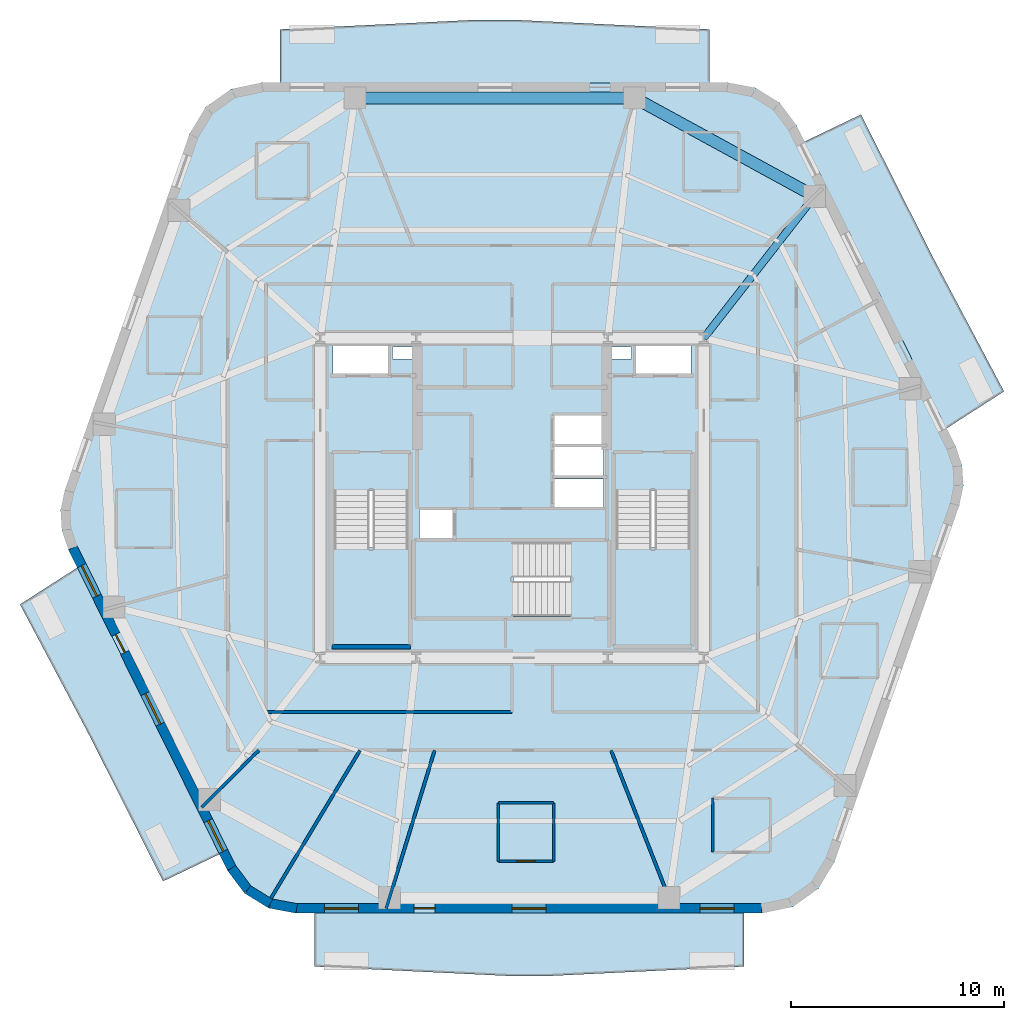
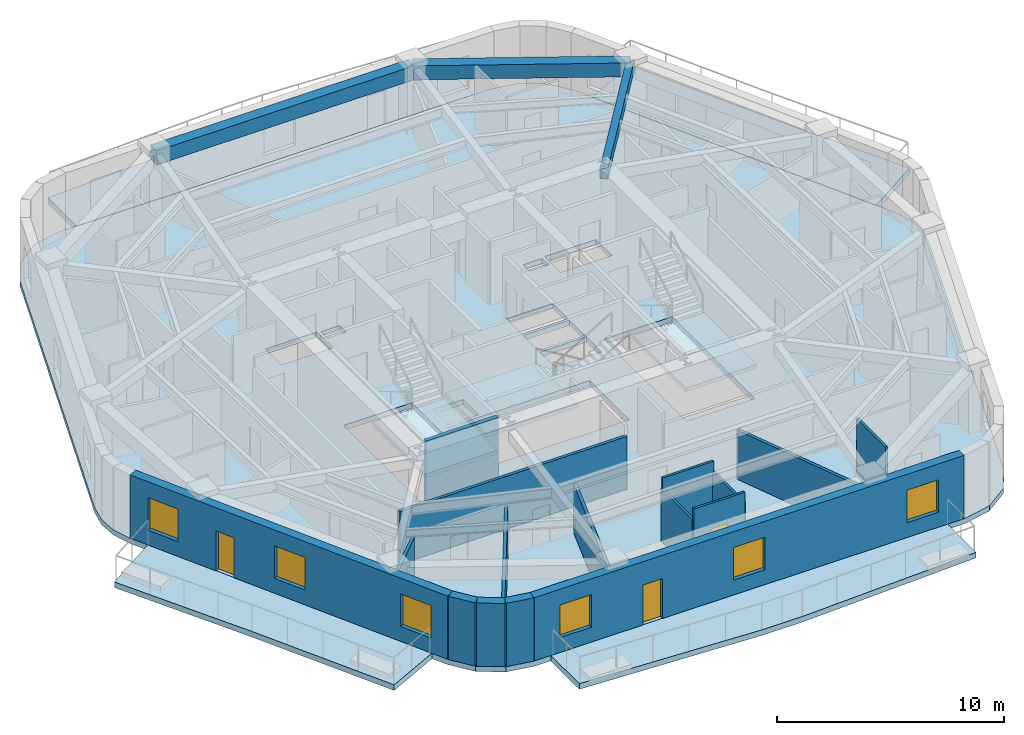
# One storey, part 2 of 10: 16 walls, 8 slabs, 6 windows, 3 beams, 3 doors, 9 openings, 3 elements without a shape of their own.
"""IFC4 building model written with IfcOpenShell, lengths in metres."""

from ifc_helpers import new_model, si_unit, direction, frame, frame_2d, origin, origin_2d, place, context, subcontext, project, spatial, polyline, rectangle, outline, extrude, material, layer, layer_set, material_profile, profile_set, type_object, element, fill, aggregate, save


model = new_model("IFC4")

# Units and contexts
model_context = context("Model", 3, precision=1e-05, world=origin(), true_north=direction((0.0, 1.0)))
body_context = subcontext(model_context, "Body", "Model", "MODEL_VIEW")
ifc_project = project(units=[si_unit("LENGTHUNIT", "METRE"), si_unit("AREAUNIT", "SQUARE_METRE"), si_unit("VOLUMEUNIT", "CUBIC_METRE"), si_unit("PLANEANGLEUNIT", "RADIAN"), si_unit("MASSUNIT", "GRAM", prefix="KILO")], contexts=[model_context])

# Site, building, storey
site_placement = place(None, origin())
site = spatial("IfcSite", under=ifc_project, at=site_placement, CompositionType="ELEMENT")
building_placement = place(site_placement, origin())
building = spatial("IfcBuilding", under=site, at=building_placement, Name="Kilnhurst Terrace Hotel", CompositionType="ELEMENT")
storey_placement = place(building_placement, frame((0.0, 0.0, 190.39990234375)))
storey = spatial("IfcBuildingStorey", under=building, at=storey_placement, Name="L47", CompositionType="ELEMENT", Elevation=190.39990234375)

# Beams
ifc_material_1 = material(Name="Concrete C50/60", Category="concrete")
ifc_material_profile_1 = material_profile(ifc_material_1, rectangle(XDim=0.35009765625, YDim=0.550048828125, at=origin_2d()), Name="RC350X550")
ifc_profile_set_1 = profile_set([ifc_material_profile_1], Name="Concrete C50/60")
beam_type_1 = type_object("IfcBeamType", Name="BM-RAD-350X550", PredefinedType="BEAM", material=ifc_profile_set_1)
beam_1_placement = place(storey_placement, frame((9.0, 7.5, 3.125), z_axis=(0.615370616457, 0.78823791104, 0.0), x_axis=(-0.78823791104, 0.615370616457, 0.0)))
element("IfcBeam", 1, at=beam_1_placement, inside=storey, type_object=beam_type_1, Name="L47 Radial Floor Beam 6", PredefinedType="BEAM", context=body_context, shape_type="SweptSolid", body=[
    extrude(rectangle(XDim=0.35009765625, YDim=0.550048828125, at=origin_2d()), origin(), (0.0, 0.0, 1.0), 8.456787109375),
])
ifc_material_profile_2 = material_profile(ifc_material_1, rectangle(XDim=0.550048828125, YDim=0.75, at=origin_2d()), Name="RC550X750")
ifc_profile_set_2 = profile_set([ifc_material_profile_2], Name="Concrete C50/60")
beam_type_2 = type_object("IfcBeamType", Name="BM-SPN-550X750", PredefinedType="SPANDREL", material=ifc_profile_set_2)
beam_2_placement = place(storey_placement, frame((14.2041015625, 14.166015625, 3.025146484375), z_axis=(-0.87766189723, 0.479280287672, 0.0), x_axis=(-0.479280287672, -0.87766189723, 0.0)))
element("IfcBeam", 2, at=beam_2_placement, inside=storey, type_object=beam_type_2, Name="L47 Perimeter Spandrel Beam 6", PredefinedType="SPANDREL", context=body_context, shape_type="SweptSolid", body=[
    extrude(rectangle(XDim=0.550048828125, YDim=0.75, at=origin_2d()), origin(), (0.0, 0.0, 1.0), 9.626953125),
])
beam_3_placement = place(storey_placement, frame((5.7548828125, 18.780029296875, 3.025146484375), z_axis=(-1.0, 0.0, 0.0), x_axis=(0.0, -1.0, 0.0)))
element("IfcBeam", 3, at=beam_3_placement, inside=storey, type_object=beam_type_2, Name="L47 Perimeter Spandrel Beam 7", PredefinedType="SPANDREL", context=body_context, shape_type="SweptSolid", body=[
    extrude(rectangle(XDim=0.550048828125, YDim=0.75, at=origin_2d()), origin(), (0.0, 0.0, 1.0), 13.123779296875),
])

# Slabs
ifc_layer_1 = layer(ifc_material_1, 0.300048828125, Name="Concrete C50/60")
ifc_layer_set_1 = layer_set([ifc_layer_1], Name="Concrete C50/60")
slab_type_1 = type_object("IfcSlabType", Name="SLB-BAL-300", PredefinedType="FLOOR", material=ifc_layer_set_1)
slab_1_placement = place(storey_placement, frame((0.0, 0.0, -0.2998046875)))
element("IfcSlab", 4, at=slab_1_placement, inside=storey, type_object=slab_type_1, Name="L47 Cantilevered Planted Terrace Slab BAL-L1A", PredefinedType="FLOOR", context=body_context, shape_type="SweptSolid", body=[
    extrude(outline(polyline([(19.769287109375, 11.293212890625), (23.100830078125, 5.0), (20.393310546875, 3.25927734375), (13.718505859375, 16.72021484375), (16.384033203125, 18.0), (19.769287109375, 11.293212890625)])), origin(), (0.0, 0.0, 1.0), 0.2998046875),
])
slab_2_placement = place(storey_placement, frame((0.0, 0.0, -0.2998046875)))
element("IfcSlab", 5, at=slab_2_placement, inside=storey, type_object=slab_type_1, Name="L47 Cantilevered Planted Terrace Slab BAL-L1B", PredefinedType="FLOOR", context=body_context, shape_type="SweptSolid", body=[
    extrude(outline(polyline([(0.221923828125, 22.43994140625), (9.279296875, 22.0), (9.279296875, 19.47998046875), (-10.8935546875, 19.47998046875), (-10.8935546875, 22.0), (-1.83642578125, 22.43994140625), (0.221923828125, 22.43994140625)])), origin(), (0.0, 0.0, 1.0), 0.2998046875),
])
slab_3_placement = place(storey_placement, frame((0.0, 0.0, -0.2998046875)))
element("IfcSlab", 6, at=slab_3_placement, inside=storey, type_object=slab_type_1, Name="L47 Cantilevered Planted Terrace Slab BAL-L2A", PredefinedType="FLOOR", context=body_context, shape_type="SweptSolid", body=[
    extrude(outline(polyline([(-23.100830078125, -5.0), (-20.393310546875, -3.25927734375), (-13.718505859375, -16.72021484375), (-16.384033203125, -18.0), (-19.769287109375, -11.293212890625), (-23.100830078125, -5.0)])), origin(), (0.0, 0.0, 1.0), 0.2998046875),
])
slab_4_placement = place(storey_placement, frame((0.0, 0.0, -0.2998046875)))
element("IfcSlab", 7, at=slab_4_placement, inside=storey, type_object=slab_type_1, Name="L47 Cantilevered Planted Terrace Slab BAL-L2B", PredefinedType="FLOOR", context=body_context, shape_type="SweptSolid", body=[
    extrude(outline(polyline([(-0.221923828125, -22.43994140625), (-9.279296875, -22.0), (-9.279296875, -19.47998046875), (10.8935546875, -19.47998046875), (10.8935546875, -22.0), (1.83642578125, -22.43994140625), (-0.221923828125, -22.43994140625)])), origin(), (0.0, 0.0, 1.0), 0.2998046875),
])
ifc_layer_2 = layer(ifc_material_1, 0.280029296875, Name="Concrete C50/60")
ifc_layer_set_2 = layer_set([ifc_layer_2], Name="Concrete C50/60")
slab_type_2 = type_object("IfcSlabType", Name="SLB-FLR-280", PredefinedType="FLOOR", material=ifc_layer_set_2)
slab_5_placement = place(storey_placement, frame((0.0, 0.0, -0.27978515625)))
element("IfcSlab", 8, at=slab_5_placement, inside=storey, type_object=slab_type_2, Name="L47 Structural Floor Slab", PredefinedType="FLOOR", context=body_context, shape_type="SweptSolid", body=[
    extrude(outline(polyline([(-13.3544921875, -17.499267578125), (-12.5576171875, -18.5576171875), (-11.431640625, -19.256103515625), (-10.12939453125, -19.5), (11.74365234375, -19.5), (13.18310546875, -19.19970703125), (14.38232421875, -18.348876953125), (15.141357421875, -17.089599609375), (20.9990234375, -0.3583984375), (21.192138671875, 0.57568359375), (21.13330078125, 1.527587890625), (20.82666015625, 2.4306640625), (13.3544921875, 17.499267578125), (12.5576171875, 18.5576171875), (11.431640625, 19.256103515625), (10.12939453125, 19.5), (-11.74365234375, 19.5), (-13.18310546875, 19.19970703125), (-14.38232421875, 18.348876953125), (-15.141357421875, 17.089599609375), (-20.9990234375, 0.3583984375), (-21.192138671875, -0.57568359375), (-21.13330078125, -1.527587890625), (-20.82666015625, -2.4306640625), (-13.3544921875, -17.499267578125)]), holes=[polyline([(2.7548828125, -2.080078125), (2.7548828125, -5.550048828125), (-4.5, -5.550048828125), (-4.5, -2.080078125), (2.7548828125, -2.080078125)]), polyline([(-8.35009765625, 0.35498046875), (-4.8798828125, 0.35498046875), (-4.8798828125, -6.89990234375), (-8.35009765625, -6.89990234375), (-8.35009765625, 0.35498046875)]), polyline([(-2.800048828125, -1.89990234375), (-4.35009765625, -1.89990234375), (-4.35009765625, -0.550048828125), (-2.800048828125, -0.550048828125), (-2.800048828125, -1.89990234375)]), polyline([(1.949951171875, -0.429931640625), (1.949951171875, 0.89990234375), (4.300048828125, 0.89990234375), (4.300048828125, -0.429931640625), (1.949951171875, -0.429931640625)]), polyline([(-8.39990234375, 5.75), (-8.39990234375, 7.14990234375), (-5.800048828125, 7.14990234375), (-5.800048828125, 5.75), (-8.39990234375, 5.75)]), polyline([(-4.659912109375, 6.52001953125), (-5.6201171875, 6.52001953125), (-5.6201171875, 7.080078125), (-4.659912109375, 7.080078125), (-4.659912109375, 6.52001953125)]), polyline([(8.35009765625, 0.35498046875), (8.35009765625, -6.89990234375), (4.8798828125, -6.89990234375), (4.8798828125, 0.35498046875), (8.35009765625, 0.35498046875)]), polyline([(1.949951171875, 1.050048828125), (1.949951171875, 2.3798828125), (4.300048828125, 2.3798828125), (4.300048828125, 1.050048828125), (1.949951171875, 1.050048828125)]), polyline([(4.300048828125, 2.530029296875), (1.949951171875, 2.530029296875), (1.949951171875, 3.860107421875), (4.300048828125, 3.860107421875), (4.300048828125, 2.530029296875)]), polyline([(5.800048828125, 5.75), (5.800048828125, 7.14990234375), (8.39990234375, 7.14990234375), (8.39990234375, 5.75), (5.800048828125, 5.75)]), polyline([(4.659912109375, 6.52001953125), (4.659912109375, 7.080078125), (5.6201171875, 7.080078125), (5.6201171875, 6.52001953125), (4.659912109375, 6.52001953125)])]), origin(), (0.0, 0.0, 1.0), 0.27978515625),
])

# Stair, slab
stair_type = type_object("IfcStairType", Name="STR-CORE-1660", PredefinedType="HALF_TURN_STAIR", material=ifc_material_1)
stair_1_placement = place(storey_placement, origin())
stair_1 = element("IfcStair", 9, at=stair_1_placement, inside=storey, type_object=stair_type, Name="L47 ST-1", PredefinedType="HALF_TURN_STAIR")
ifc_layer_3 = layer(ifc_material_1, 0.199951171875, Name="Concrete C50/60")
ifc_layer_set_3 = layer_set([ifc_layer_3], Name="Concrete C50/60")
slab_type_3 = type_object("IfcSlabType", Name="SLB-ST-LND-200", PredefinedType="LANDING", material=ifc_layer_set_3)
slab_6_placement = place(storey_placement, frame((0.0, 0.0, 1.650146484375)))
slab_6 = element("IfcSlab", 10, at=slab_6_placement, type_object=slab_type_3, Name="ST-1 landing 1", PredefinedType="LANDING", context=body_context, shape_type="SweptSolid", body=[
    extrude(outline(polyline([(-8.429931640625, -2.330078125), (-4.800048828125, -2.330078125), (-4.800048828125, -6.97998046875), (-8.429931640625, -6.97998046875), (-8.429931640625, -2.330078125)])), origin(), (0.0, 0.0, 1.0), 0.199951171875),
])
aggregate(stair_1, [slab_6])

stair_2_placement = place(storey_placement, origin())
stair_2 = element("IfcStair", 11, at=stair_2_placement, inside=storey, type_object=stair_type, Name="L47 ST-2", PredefinedType="HALF_TURN_STAIR")
slab_7_placement = place(storey_placement, frame((0.0, 0.0, 1.650146484375)))
slab_7 = element("IfcSlab", 12, at=slab_7_placement, type_object=slab_type_3, Name="ST-2 landing 1", PredefinedType="LANDING", context=body_context, shape_type="SweptSolid", body=[
    extrude(outline(polyline([(4.800048828125, -2.330078125), (8.429931640625, -2.330078125), (8.429931640625, -6.97998046875), (4.800048828125, -6.97998046875), (4.800048828125, -2.330078125)])), origin(), (0.0, 0.0, 1.0), 0.199951171875),
])
aggregate(stair_2, [slab_7])

stair_3_placement = place(storey_placement, origin())
stair_3 = element("IfcStair", 13, at=stair_3_placement, inside=storey, type_object=stair_type, Name="L47 ST-3", PredefinedType="HALF_TURN_STAIR")
slab_8_placement = place(storey_placement, frame((0.0, 0.0, 1.650146484375)))
slab_8 = element("IfcSlab", 14, at=slab_8_placement, type_object=slab_type_3, Name="ST-3 landing 1", PredefinedType="LANDING", context=body_context, shape_type="SweptSolid", body=[
    extrude(outline(polyline([(0.070068359375, -2.0), (0.070068359375, -5.6298828125), (-4.580078125, -5.6298828125), (-4.580078125, -2.0), (0.070068359375, -2.0)])), origin(), (0.0, 0.0, 1.0), 0.199951171875),
])
aggregate(stair_3, [slab_8])

# Walls
ifc_material_2 = material(Name="Precast concrete C40/50", Category="concrete")
ifc_layer_4 = layer(ifc_material_2, 0.449951171875, Name="Precast concrete C40/50")
ifc_layer_set_4 = layer_set([ifc_layer_4], Name="Precast concrete C40/50")
wall_type_1 = type_object("IfcWallType", Name="WL-BRK-450", PredefinedType="SOLIDWALL", material=ifc_layer_set_4)
wall_1_placement = place(storey_placement, frame((-13.162353515625, -17.380615234375, 0.0), z_axis=(0.0, 0.0, 1.0), x_axis=(0.601515770517, -0.798860925205, 0.0)))
element("IfcWall", 15, at=wall_1_placement, inside=storey, type_object=wall_type_1, Name="L47 Rounded Corner Brick Wall C1.1", PredefinedType="SOLIDWALL", context=body_context, shape_type="SweptSolid", body=[
    extrude(rectangle(XDim=1.261962890625, YDim=0.449951171875, at=frame_2d((0.630859375, 0.0))), origin(), (0.0, 0.0, 1.0), 3.400146484375),
])
wall_2_placement = place(storey_placement, frame((-12.4033203125, -18.388671875, 0.0), z_axis=(0.0, 0.0, 1.0), x_axis=(0.849795170926, -0.527113049991, 0.0)))
element("IfcWall", 16, at=wall_2_placement, inside=storey, type_object=wall_type_1, Name="L47 Rounded Corner Brick Wall C1.2", PredefinedType="SOLIDWALL", context=body_context, shape_type="SweptSolid", body=[
    extrude(rectangle(XDim=1.24072265625, YDim=0.449951171875, at=frame_2d((0.620361328125, 0.0))), origin(), (0.0, 0.0, 1.0), 3.400146484375),
])
wall_3_placement = place(storey_placement, frame((-11.348876953125, -19.042724609375, 0.0), z_axis=(0.0, 0.0, 1.0), x_axis=(0.982931267051, -0.183973161772, 0.0)))
element("IfcWall", 17, at=wall_3_placement, inside=storey, type_object=wall_type_1, Name="L47 Rounded Corner Brick Wall C1.3", PredefinedType="SOLIDWALL", context=body_context, shape_type="SweptSolid", body=[
    extrude(rectangle(XDim=1.261962890625, YDim=0.449951171875, at=frame_2d((0.630859375, 0.0))), origin(), (0.0, 0.0, 1.0), 3.400146484375),
])

# Wall, openings, door, windows
wall_4_placement = place(storey_placement, frame((-10.1083984375, -19.27490234375, 0.0), z_axis=(0.0, 0.0, 1.0), x_axis=(1.0, 0.0, 0.0)))
wall_4 = element("IfcWall", 18, at=wall_4_placement, inside=storey, type_object=wall_type_1, Name="L47 Exterior Brick Facade Wall F1", PredefinedType="SOLIDWALL", context=body_context, shape_type="SweptSolid", body=[
    extrude(rectangle(XDim=21.828857421875, YDim=0.449951171875, at=frame_2d((10.91455078125, 0.0))), origin(), (0.0, 0.0, 1.0), 3.400146484375),
])
opening_1_placement = place(wall_4_placement, frame((5.5029296875, 0.0, 0.0)))
opening_1 = element("IfcOpeningElement", 19, at=opening_1_placement, cuts=wall_4, Name="Opening BD-1000", PredefinedType="OPENING", context=body_context, shape_type="SweptSolid", body=[
    extrude(rectangle(XDim=1.0, YDim=2.14990234375, at=frame_2d((0.5, 1.074951171875))), frame((0.0, 0.23486328125, 0.0), z_axis=(0.0, -1.0, 0.0), x_axis=(1.0, 0.0, 0.0)), (0.0, 0.0, 1.0), 0.469970703125),
])
opening_2_placement = place(wall_4_placement, frame((1.297119140625, 0.0, 0.800048828125)))
opening_2 = element("IfcOpeningElement", 20, at=opening_2_placement, cuts=wall_4, Name="Opening W-05", PredefinedType="OPENING", context=body_context, shape_type="SweptSolid", body=[
    extrude(rectangle(XDim=1.60009765625, YDim=1.75, at=frame_2d((0.800048828125, 0.875))), frame((0.0, 0.23486328125, 0.0), z_axis=(0.0, -1.0, 0.0), x_axis=(1.0, 0.0, 0.0)), (0.0, 0.0, 1.0), 0.469970703125),
])
opening_3_placement = place(wall_4_placement, frame((10.114990234375, 0.0, 0.800048828125)))
opening_3 = element("IfcOpeningElement", 21, at=opening_3_placement, cuts=wall_4, Name="Opening W-05", PredefinedType="OPENING", context=body_context, shape_type="SweptSolid", body=[
    extrude(rectangle(XDim=1.60009765625, YDim=1.75, at=frame_2d((0.800048828125, 0.875))), frame((0.0, 0.23486328125, 0.0), z_axis=(0.0, -1.0, 0.0), x_axis=(1.0, 0.0, 0.0)), (0.0, 0.0, 1.0), 0.469970703125),
])
opening_4_placement = place(wall_4_placement, frame((18.93310546875, 0.0, 0.800048828125)))
opening_4 = element("IfcOpeningElement", 22, at=opening_4_placement, cuts=wall_4, Name="Opening W-05", PredefinedType="OPENING", context=body_context, shape_type="SweptSolid", body=[
    extrude(rectangle(XDim=1.60009765625, YDim=1.75, at=frame_2d((0.800048828125, 0.875))), frame((0.0, 0.23486328125, 0.0), z_axis=(0.0, -1.0, 0.0), x_axis=(1.0, 0.0, 0.0)), (0.0, 0.0, 1.0), 0.469970703125),
])
ifc_material_3 = material(Name="Thermally Broken Bronze Aluminium Alloy 6063-T6 and Laminated Glass", Category="aluminium")
door_type_1 = type_object("IfcDoorType", Name="DR-EXT-BAL-1000", OperationType="NOTDEFINED", PredefinedType="DOOR", material=ifc_material_3)
door_1_placement = place(opening_1_placement, origin())
door_1 = element("IfcDoor", 23, at=door_1_placement, inside=storey, type_object=door_type_1, Name="L47 Planted Balcony Door BAL-L2B", OperationType="SINGLE_SWING_LEFT", OverallHeight=2.14990234375, OverallWidth=1.0, PredefinedType="DOOR", context=body_context, shape_type="SweptSolid", body=[
    extrude(rectangle(XDim=1.0, YDim=2.14990234375, at=frame_2d((0.5, 1.074951171875))), frame((0.0, 0.02490234375, 0.0), z_axis=(0.0, -1.0, 0.0), x_axis=(1.0, 0.0, 0.0)), (0.0, 0.0, 1.0), 0.050048828125),
])
fill(opening_1, door_1)
ifc_material_4 = material(Name="Thermally Broken Bronze Aluminium Alloy 6063-T6 and Low-E Glass", Category="aluminium")
window_type = type_object("IfcWindowType", Name="WIN-1600X1750", PartitioningType="SINGLE_PANEL", PredefinedType="WINDOW", material=ifc_material_4)
window_1_placement = place(opening_2_placement, origin())
window_1 = element("IfcWindow", 24, at=window_1_placement, inside=storey, type_object=window_type, Name="L47 Deep-Set Masonry Window F1.1", OverallHeight=1.75, OverallWidth=1.60009765625, PartitioningType="SINGLE_PANEL", PredefinedType="WINDOW", context=body_context, shape_type="SweptSolid", body=[
    extrude(rectangle(XDim=1.60009765625, YDim=1.75, at=frame_2d((0.800048828125, 0.875))), frame((0.0, 0.030029296875, 0.0), z_axis=(0.0, -1.0, 0.0), x_axis=(1.0, 0.0, 0.0)), (0.0, 0.0, 1.0), 0.06005859375),
])
fill(opening_2, window_1)
window_2_placement = place(opening_3_placement, origin())
window_2 = element("IfcWindow", 25, at=window_2_placement, inside=storey, type_object=window_type, Name="L47 Deep-Set Masonry Window F1.2", OverallHeight=1.75, OverallWidth=1.60009765625, PartitioningType="SINGLE_PANEL", PredefinedType="WINDOW", context=body_context, shape_type="SweptSolid", body=[
    extrude(rectangle(XDim=1.60009765625, YDim=1.75, at=frame_2d((0.800048828125, 0.875))), frame((0.0, 0.030029296875, 0.0), z_axis=(0.0, -1.0, 0.0), x_axis=(1.0, 0.0, 0.0)), (0.0, 0.0, 1.0), 0.06005859375),
])
fill(opening_3, window_2)
window_3_placement = place(opening_4_placement, origin())
window_3 = element("IfcWindow", 26, at=window_3_placement, inside=storey, type_object=window_type, Name="L47 Deep-Set Masonry Window F1.3", OverallHeight=1.75, OverallWidth=1.60009765625, PartitioningType="SINGLE_PANEL", PredefinedType="WINDOW", context=body_context, shape_type="SweptSolid", body=[
    extrude(rectangle(XDim=1.60009765625, YDim=1.75, at=frame_2d((0.800048828125, 0.875))), frame((0.0, 0.030029296875, 0.0), z_axis=(0.0, -1.0, 0.0), x_axis=(1.0, 0.0, 0.0)), (0.0, 0.0, 1.0), 0.06005859375),
])
fill(opening_4, window_3)

wall_5_placement = place(storey_placement, frame((-20.618408203125, -2.343994140625, 0.0), z_axis=(0.0, 0.0, 1.0), x_axis=(0.444243691097, -0.895905990002, 0.0)))
wall_5 = element("IfcWall", 27, at=wall_5_placement, inside=storey, type_object=wall_type_1, Name="L47 Exterior Brick Facade Wall F6", PredefinedType="SOLIDWALL", context=body_context, shape_type="SweptSolid", body=[
    extrude(rectangle(XDim=16.78369140625, YDim=0.449951171875, at=frame_2d((8.391845703125, 0.0))), origin(), (0.0, 0.0, 1.0), 3.400146484375),
])
opening_5_placement = place(wall_5_placement, frame((4.534912109375, 0.0, 0.0)))
opening_5 = element("IfcOpeningElement", 28, at=opening_5_placement, cuts=wall_5, Name="Opening BD-950", PredefinedType="OPENING", context=body_context, shape_type="SweptSolid", body=[
    extrude(rectangle(XDim=0.949951171875, YDim=2.14990234375, at=frame_2d((0.47509765625, 1.074951171875))), frame((0.0, 0.23486328125, 0.0), z_axis=(0.0, -1.0, 0.0), x_axis=(1.0, 0.0, 0.0)), (0.0, 0.0, 1.0), 0.469970703125),
])
opening_6_placement = place(wall_5_placement, frame((0.930908203125, 0.0, 0.800048828125)))
opening_6 = element("IfcOpeningElement", 29, at=opening_6_placement, cuts=wall_5, Name="Opening W-05", PredefinedType="OPENING", context=body_context, shape_type="SweptSolid", body=[
    extrude(rectangle(XDim=1.60009765625, YDim=1.75, at=frame_2d((0.800048828125, 0.875))), frame((0.0, 0.23486328125, 0.0), z_axis=(0.0, -1.0, 0.0), x_axis=(1.0, 0.0, 0.0)), (0.0, 0.0, 1.0), 0.469970703125),
])
opening_7_placement = place(wall_5_placement, frame((7.64208984375, 0.0, 0.800048828125)))
opening_7 = element("IfcOpeningElement", 30, at=opening_7_placement, cuts=wall_5, Name="Opening W-05", PredefinedType="OPENING", context=body_context, shape_type="SweptSolid", body=[
    extrude(rectangle(XDim=1.60009765625, YDim=1.75, at=frame_2d((0.800048828125, 0.875))), frame((0.0, 0.23486328125, 0.0), z_axis=(0.0, -1.0, 0.0), x_axis=(1.0, 0.0, 0.0)), (0.0, 0.0, 1.0), 0.469970703125),
])
opening_8_placement = place(wall_5_placement, frame((14.302978515625, 0.0, 0.800048828125)))
opening_8 = element("IfcOpeningElement", 31, at=opening_8_placement, cuts=wall_5, Name="Opening W-05", PredefinedType="OPENING", context=body_context, shape_type="SweptSolid", body=[
    extrude(rectangle(XDim=1.60009765625, YDim=1.75, at=frame_2d((0.800048828125, 0.875))), frame((0.0, 0.23486328125, 0.0), z_axis=(0.0, -1.0, 0.0), x_axis=(1.0, 0.0, 0.0)), (0.0, 0.0, 1.0), 0.469970703125),
])
door_type_2 = type_object("IfcDoorType", Name="DR-EXT-BAL-950", OperationType="NOTDEFINED", PredefinedType="DOOR", material=ifc_material_3)
door_2_placement = place(opening_5_placement, origin())
door_2 = element("IfcDoor", 32, at=door_2_placement, inside=storey, type_object=door_type_2, Name="L47 Planted Balcony Door BAL-L2A", OperationType="SINGLE_SWING_RIGHT", OverallHeight=2.14990234375, OverallWidth=0.949951171875, PredefinedType="DOOR", context=body_context, shape_type="SweptSolid", body=[
    extrude(rectangle(XDim=0.949951171875, YDim=2.14990234375, at=frame_2d((0.47509765625, 1.074951171875))), frame((0.0, 0.02490234375, 0.0), z_axis=(0.0, -1.0, 0.0), x_axis=(1.0, 0.0, 0.0)), (0.0, 0.0, 1.0), 0.050048828125),
])
fill(opening_5, door_2)
window_4_placement = place(opening_6_placement, origin())
window_4 = element("IfcWindow", 33, at=window_4_placement, inside=storey, type_object=window_type, Name="L47 Deep-Set Masonry Window F6.1", OverallHeight=1.75, OverallWidth=1.60009765625, PartitioningType="SINGLE_PANEL", PredefinedType="WINDOW", context=body_context, shape_type="SweptSolid", body=[
    extrude(rectangle(XDim=1.60009765625, YDim=1.75, at=frame_2d((0.800048828125, 0.875))), frame((0.0, 0.030029296875, 0.0), z_axis=(0.0, -1.0, 0.0), x_axis=(1.0, 0.0, 0.0)), (0.0, 0.0, 1.0), 0.06005859375),
])
fill(opening_6, window_4)
window_5_placement = place(opening_7_placement, origin())
window_5 = element("IfcWindow", 34, at=window_5_placement, inside=storey, type_object=window_type, Name="L47 Deep-Set Masonry Window F6.2", OverallHeight=1.75, OverallWidth=1.60009765625, PartitioningType="SINGLE_PANEL", PredefinedType="WINDOW", context=body_context, shape_type="SweptSolid", body=[
    extrude(rectangle(XDim=1.60009765625, YDim=1.75, at=frame_2d((0.800048828125, 0.875))), frame((0.0, 0.030029296875, 0.0), z_axis=(0.0, -1.0, 0.0), x_axis=(1.0, 0.0, 0.0)), (0.0, 0.0, 1.0), 0.06005859375),
])
fill(opening_7, window_5)
window_6_placement = place(opening_8_placement, origin())
window_6 = element("IfcWindow", 35, at=window_6_placement, inside=storey, type_object=window_type, Name="L47 Deep-Set Masonry Window F6.3", OverallHeight=1.75, OverallWidth=1.60009765625, PartitioningType="SINGLE_PANEL", PredefinedType="WINDOW", context=body_context, shape_type="SweptSolid", body=[
    extrude(rectangle(XDim=1.60009765625, YDim=1.75, at=frame_2d((0.800048828125, 0.875))), frame((0.0, 0.030029296875, 0.0), z_axis=(0.0, -1.0, 0.0), x_axis=(1.0, 0.0, 0.0)), (0.0, 0.0, 1.0), 0.06005859375),
])
fill(opening_8, window_6)

# Walls
ifc_material_5 = material(Name="Acoustic Double-Gypsum Corridor Partition Assembly")
ifc_layer_5 = layer(ifc_material_5, 0.14990234375, Name="Acoustic Double-Gypsum Corridor Partition Assembly")
ifc_layer_set_5 = layer_set([ifc_layer_5], Name="Acoustic Double-Gypsum Corridor Partition Assembly")
wall_type_2 = type_object("IfcWallType", Name="WL-COR-150", PredefinedType="PARTITIONING", material=ifc_layer_set_5)
wall_6_placement = place(storey_placement, frame((-11.550048828125, -10.050048828125, 0.0), z_axis=(0.0, 0.0, 1.0), x_axis=(1.0, 0.0, 0.0)))
element("IfcWall", 36, at=wall_6_placement, inside=storey, type_object=wall_type_2, Name="L47 Interior Wall WL-L47-COR-17", PredefinedType="PARTITIONING", context=body_context, shape_type="SweptSolid", body=[
    extrude(rectangle(XDim=11.550048828125, YDim=0.14990234375, at=frame_2d((5.77490234375, 0.0))), origin(), (0.0, 0.0, 1.0), 2.840087890625),
])
ifc_material_6 = material(Name="STC-58 Acoustic Twin-Frame Guestroom Demising Partition")
ifc_layer_6 = layer(ifc_material_6, 0.14990234375, Name="STC-58 Acoustic Twin-Frame Guestroom Demising Partition")
ifc_layer_set_6 = layer_set([ifc_layer_6], Name="STC-58 Acoustic Twin-Frame Guestroom Demising Partition")
wall_type_3 = type_object("IfcWallType", Name="WL-DEM-150", PredefinedType="PARTITIONING", material=ifc_layer_set_6)
wall_7_placement = place(storey_placement, frame((-11.8818359375, -11.85009765625, 0.0), z_axis=(0.0, 0.0, 1.0), x_axis=(-0.708037373639, -0.706174962407, 0.0)))
element("IfcWall", 37, at=wall_7_placement, inside=storey, type_object=wall_type_3, Name="L47 Interior Wall WL-L47-DEM-COL08-09-1", PredefinedType="PARTITIONING", context=body_context, shape_type="SweptSolid", body=[
    extrude(rectangle(XDim=3.801513671875, YDim=0.14990234375, at=frame_2d((1.90087890625, 0.0))), origin(), (0.0, 0.0, 1.0), 2.64013671875),
])
wall_8_placement = place(storey_placement, frame((-7.13623046875, -11.85009765625, 0.0), z_axis=(0.0, 0.0, 1.0), x_axis=(-0.515900673207, -0.856648408266, 0.0)))
element("IfcWall", 38, at=wall_8_placement, inside=storey, type_object=wall_type_3, Name="L47 Interior Wall WL-L47-DEM-MID08-10-1", PredefinedType="PARTITIONING", context=body_context, shape_type="SweptSolid", body=[
    extrude(rectangle(XDim=8.173583984375, YDim=0.14990234375, at=frame_2d((4.0869140625, 0.0))), origin(), (0.0, 0.0, 1.0), 2.64013671875),
])
wall_9_placement = place(storey_placement, frame((-3.63134765625, -11.85009765625, 0.0), z_axis=(0.0, 0.0, 1.0), x_axis=(-0.293007573338, -0.956110120209, 0.0)))
element("IfcWall", 39, at=wall_9_placement, inside=storey, type_object=wall_type_3, Name="L47 Interior Wall WL-L47-DEM-COL09-11-1", PredefinedType="PARTITIONING", context=body_context, shape_type="SweptSolid", body=[
    extrude(rectangle(XDim=7.765625, YDim=0.14990234375, at=frame_2d((3.8828125, 0.0))), origin(), (0.0, 0.0, 1.0), 2.64013671875),
])
wall_10_placement = place(storey_placement, frame((4.64990234375, -11.85009765625, 0.0), z_axis=(0.0, 0.0, 1.0), x_axis=(0.365265947993, -0.930903210456, 0.0)))
element("IfcWall", 40, at=wall_10_placement, inside=storey, type_object=wall_type_3, Name="L47 Interior Wall WL-L47-DEM-COL10-12-1", PredefinedType="PARTITIONING", context=body_context, shape_type="SweptSolid", body=[
    extrude(rectangle(XDim=7.975830078125, YDim=0.14990234375, at=frame_2d((3.98779296875, 0.0))), origin(), (0.0, 0.0, 1.0), 2.64013671875),
])

# Wall, opening, door
ifc_material_7 = material(Name="120 mm Moisture-Resistant Tile-Backed Bathroom Partition")
ifc_layer_7 = layer(ifc_material_7, 0.1201171875, Name="120 mm Moisture-Resistant Tile-Backed Bathroom Partition")
ifc_layer_set_7 = layer_set([ifc_layer_7], Name="120 mm Moisture-Resistant Tile-Backed Bathroom Partition")
wall_type_4 = type_object("IfcWallType", Name="WL-PART-120", PredefinedType="PARTITIONING", material=ifc_layer_set_7)
wall_11_placement = place(storey_placement, frame((-0.64111328125, -17.06298828125, 0.0), z_axis=(0.0, 0.0, 1.0), x_axis=(1.0, 0.0, 0.0)))
wall_11 = element("IfcWall", 41, at=wall_11_placement, inside=storey, type_object=wall_type_4, Name="L47 Interior Wall WL-L47-BTH-11-1", PredefinedType="PARTITIONING", context=body_context, shape_type="SweptSolid", body=[
    extrude(rectangle(XDim=2.60009765625, YDim=0.1201171875, at=frame_2d((1.300048828125, 0.0))), origin(), (0.0, 0.0, 1.0), 3.400146484375),
])
opening_9_placement = place(wall_11_placement, frame((0.875, 0.0, 0.0)))
opening_9 = element("IfcOpeningElement", 42, at=opening_9_placement, cuts=wall_11, Name="Opening D-08A", PredefinedType="OPENING", context=body_context, shape_type="SweptSolid", body=[
    extrude(rectangle(XDim=0.85009765625, YDim=2.030029296875, at=frame_2d((0.425048828125, 1.01513671875))), frame((0.0, 0.070068359375, 0.0), z_axis=(0.0, -1.0, 0.0), x_axis=(1.0, 0.0, 0.0)), (0.0, 0.0, 1.0), 0.14013671875),
])
ifc_material_8 = material(Name="Moisture-Resistant Lacquered En-suite Bathroom Door")
door_type_3 = type_object("IfcDoorType", Name="DR-INT-850", OperationType="NOTDEFINED", PredefinedType="DOOR", material=ifc_material_8)
door_3_placement = place(opening_9_placement, origin())
door_3 = element("IfcDoor", 43, at=door_3_placement, inside=storey, type_object=door_type_3, Name="L47 En-suite Bathroom Door 11", OperationType="SINGLE_SWING_RIGHT", OverallHeight=2.030029296875, OverallWidth=0.85009765625, PredefinedType="DOOR", context=body_context, shape_type="SweptSolid", body=[
    extrude(rectangle(XDim=0.85009765625, YDim=2.030029296875, at=frame_2d((0.425048828125, 1.01513671875))), frame((0.0, 0.02490234375, 0.0), z_axis=(0.0, -1.0, 0.0), x_axis=(1.0, 0.0, 0.0)), (0.0, 0.0, 1.0), 0.050048828125),
])
fill(opening_9, door_3)

# Walls
wall_12_placement = place(storey_placement, frame((1.958984375, -17.06298828125, 0.0), z_axis=(0.0, 0.0, 1.0), x_axis=(0.0, 1.0, 0.0)))
element("IfcWall", 44, at=wall_12_placement, inside=storey, type_object=wall_type_4, Name="L47 Interior Wall WL-L47-BTH-11-2", PredefinedType="PARTITIONING", context=body_context, shape_type="SweptSolid", body=[
    extrude(rectangle(XDim=2.75, YDim=0.1201171875, at=frame_2d((1.375, 0.0))), origin(), (0.0, 0.0, 1.0), 2.840576171875),
])
wall_13_placement = place(storey_placement, frame((1.958984375, -14.31298828125, 0.0), z_axis=(0.0, 0.0, 1.0), x_axis=(-1.0, 0.0, 0.0)))
element("IfcWall", 45, at=wall_13_placement, inside=storey, type_object=wall_type_4, Name="L47 Interior Wall WL-L47-BTH-11-3", PredefinedType="PARTITIONING", context=body_context, shape_type="SweptSolid", body=[
    extrude(rectangle(XDim=2.60009765625, YDim=0.1201171875, at=frame_2d((1.300048828125, 0.0))), origin(), (0.0, 0.0, 1.0), 3.400146484375),
])
wall_14_placement = place(storey_placement, frame((-0.64111328125, -14.31298828125, 0.0), z_axis=(0.0, 0.0, 1.0), x_axis=(0.0, -1.0, 0.0)))
element("IfcWall", 46, at=wall_14_placement, inside=storey, type_object=wall_type_4, Name="L47 Interior Wall WL-L47-BTH-11-4", PredefinedType="PARTITIONING", context=body_context, shape_type="SweptSolid", body=[
    extrude(rectangle(XDim=2.75, YDim=0.1201171875, at=frame_2d((1.375, 0.0))), origin(), (0.0, 0.0, 1.0), 2.840576171875),
])
wall_15_placement = place(storey_placement, frame((9.43603515625, -14.092041015625, 0.0), z_axis=(0.0, 0.0, 1.0), x_axis=(0.0, -1.0, 0.0)))
element("IfcWall", 47, at=wall_15_placement, inside=storey, type_object=wall_type_4, Name="L47 Interior Wall WL-L47-BTH-12-4", PredefinedType="PARTITIONING", context=body_context, shape_type="SweptSolid", body=[
    extrude(rectangle(XDim=2.5400390625, YDim=0.1201171875, at=frame_2d((1.27001953125, 0.0))), origin(), (0.0, 0.0, 1.0), 2.926513671875),
])
ifc_layer_8 = layer(ifc_material_1, 0.199951171875, Name="Concrete C50/60")
ifc_layer_set_8 = layer_set([ifc_layer_8], Name="Concrete C50/60")
wall_type_5 = type_object("IfcWallType", Name="WL-STAIR-RC-200", PredefinedType="SHEAR", material=ifc_layer_set_8)
wall_16_placement = place(storey_placement, frame((-8.4580078125, -6.985107421875, 0.0), z_axis=(0.0, 0.0, 1.0), x_axis=(1.0, 0.0, 0.0)))
element("IfcWall", 48, at=wall_16_placement, inside=storey, type_object=wall_type_5, Name="L47 Structural Stair Shaft Wall WL-L47-ST1-S", PredefinedType="SHEAR", context=body_context, shape_type="SweptSolid", body=[
    extrude(rectangle(XDim=3.68603515625, YDim=0.199951171875, at=frame_2d((1.843017578125, 0.0))), origin(), (0.0, 0.0, 1.0), 3.7001953125),
])

save(model, "model.ifc")
